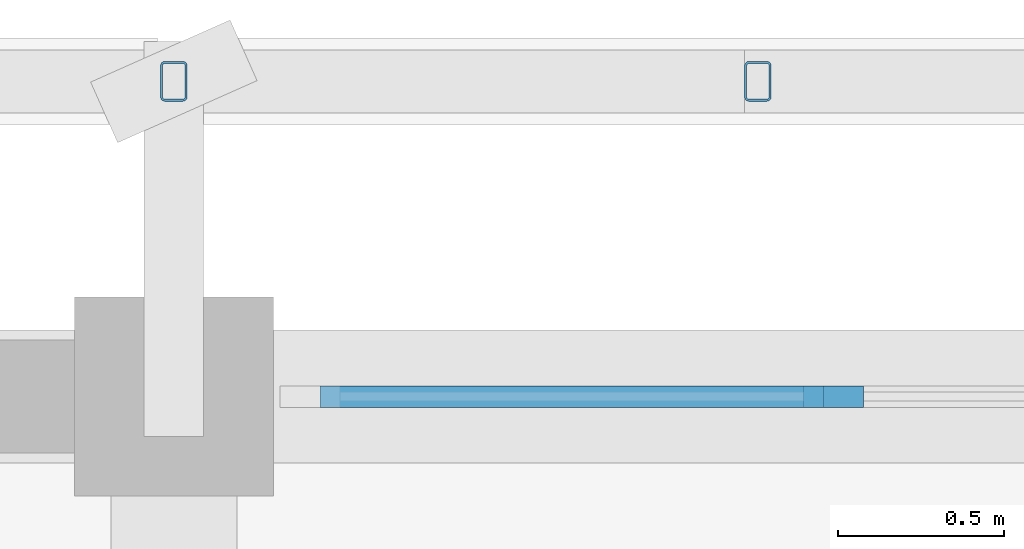
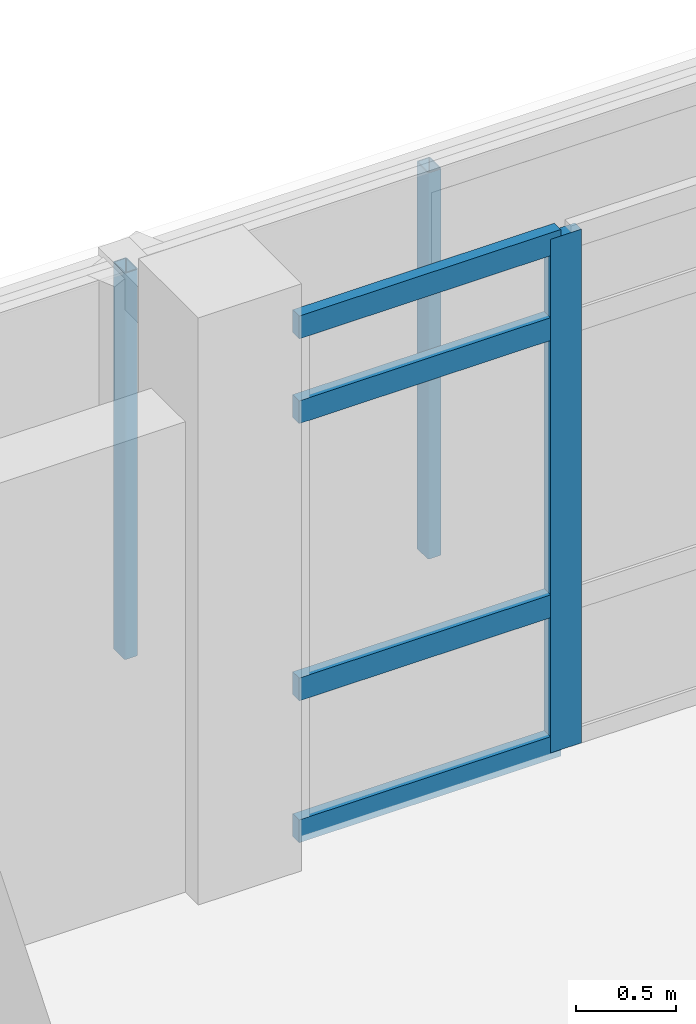
# One storey, part 33 of 50: 7 members, 1 element without a shape of its own.
"""IFC4 building model written with IfcOpenShell, lengths in metres."""

from ifc_helpers import new_model, si_unit, direction, frame, origin, origin_2d, place, context, subcontext, project, spatial, rectangle, hollow_rectangle, extrude, material, material_profile, profile_set, type_object, element, aggregate, save


model = new_model("IFC4")

# Units and contexts
model_context = context("Model", 3, precision=1e-05, world=origin(), true_north=direction((0.0, 1.0)))
body_context = subcontext(model_context, "Body", "Model", "MODEL_VIEW")
ifc_project = project(units=[si_unit("LENGTHUNIT", "METRE"), si_unit("AREAUNIT", "SQUARE_METRE"), si_unit("VOLUMEUNIT", "CUBIC_METRE"), si_unit("PLANEANGLEUNIT", "RADIAN"), si_unit("MASSUNIT", "GRAM", prefix="KILO")], contexts=[model_context])

# Site, building, storey
site_placement = place(None, origin())
site = spatial("IfcSite", under=ifc_project, at=site_placement, CompositionType="ELEMENT")
building_placement = place(site_placement, origin())
building = spatial("IfcBuilding", under=site, at=building_placement, Name="Cinderway Yard Community Centre", CompositionType="ELEMENT")
storey_placement = place(building_placement, frame((0.0, 0.0, 12.89990234375)))
storey = spatial("IfcBuildingStorey", under=building, at=storey_placement, Name="L03", CompositionType="ELEMENT", Elevation=12.89990234375)

# Curtain wall, members
ifc_material_1 = material(Name="Aluminium 6063-T6", Category="aluminium")
curtain_wall_type = type_object("IfcCurtainWallType", Name="ENV-CW-TYPE-33", PredefinedType="USERDEFINED", material=ifc_material_1)
curtain_wall_placement = place(storey_placement, origin())
curtain_wall = element("IfcCurtainWall", 1, at=curtain_wall_placement, inside=storey, type_object=curtain_wall_type, Name="V4 Street Curtain Wall ENV-CW-L03-HS-0171", ObjectType="GLAZED CURTAIN WALL", PredefinedType="USERDEFINED")
ifc_material_profile_1 = material_profile(ifc_material_1, rectangle(XDim=0.06494140625, YDim=0.179931640625, at=origin_2d()), Name="Aluminium 6063-T6")
ifc_profile_set_1 = profile_set([ifc_material_profile_1], Name="Aluminium 6063-T6")
member_type_1 = type_object("IfcMemberType", Name="ENV-CW-MULL-180", PredefinedType="MULLION", material=ifc_profile_set_1)
member_1_placement = place(storey_placement, frame((121.18798828125, 115.199951171875, 0.0), z_axis=(0.0, 0.0, 1.0), x_axis=(0.0, 1.0, 0.0)))
member_1 = element("IfcMember", 2, at=member_1_placement, type_object=member_type_1, Name="CW-33 mullion 2", PredefinedType="MULLION", context=body_context, shape_type="SweptSolid", body=[
    extrude(rectangle(XDim=0.06494140625, YDim=0.179931640625, at=origin_2d()), origin(), (0.0, 0.0, 1.0), 3.150146484375),
])
ifc_material_profile_2 = material_profile(ifc_material_1, rectangle(XDim=0.06494140625, YDim=0.139892578125, at=origin_2d()), Name="Aluminium 6063-T6")
ifc_profile_set_2 = profile_set([ifc_material_profile_2], Name="Aluminium 6063-T6")
member_type_2 = type_object("IfcMemberType", Name="ENV-CW-TRAN-140", PredefinedType="USERDEFINED", material=ifc_profile_set_2)
member_2_placement = place(storey_placement, frame((119.639892578125, 115.199951171875, 0.030029296875), z_axis=(1.0, 0.0, 0.0), x_axis=(0.0, 1.0, 0.0)))
member_2 = element("IfcMember", 3, at=member_2_placement, type_object=member_type_2, Name="CW-33 transom 1.1", ObjectType="TRANSOM", PredefinedType="USERDEFINED", context=body_context, shape_type="SweptSolid", body=[
    extrude(rectangle(XDim=0.06494140625, YDim=0.139892578125, at=origin_2d()), origin(), (0.0, 0.0, 1.0), 1.51806640625),
])
member_3_placement = place(storey_placement, frame((119.639892578125, 115.199951171875, 0.900146484375), z_axis=(1.0, 0.0, 0.0), x_axis=(0.0, 1.0, 0.0)))
member_3 = element("IfcMember", 4, at=member_3_placement, type_object=member_type_2, Name="CW-33 transom 1.2", ObjectType="TRANSOM", PredefinedType="USERDEFINED", context=body_context, shape_type="SweptSolid", body=[
    extrude(rectangle(XDim=0.06494140625, YDim=0.139892578125, at=origin_2d()), origin(), (0.0, 0.0, 1.0), 1.51806640625),
])
member_4_placement = place(storey_placement, frame((119.639892578125, 115.199951171875, 2.60009765625), z_axis=(1.0, 0.0, 0.0), x_axis=(0.0, 1.0, 0.0)))
member_4 = element("IfcMember", 5, at=member_4_placement, type_object=member_type_2, Name="CW-33 transom 1.3", ObjectType="TRANSOM", PredefinedType="USERDEFINED", context=body_context, shape_type="SweptSolid", body=[
    extrude(rectangle(XDim=0.06494140625, YDim=0.139892578125, at=origin_2d()), origin(), (0.0, 0.0, 1.0), 1.51806640625),
])
member_5_placement = place(storey_placement, frame((119.639892578125, 115.199951171875, 3.1201171875), z_axis=(1.0, 0.0, 0.0), x_axis=(0.0, 1.0, 0.0)))
member_5 = element("IfcMember", 6, at=member_5_placement, type_object=member_type_2, Name="CW-33 transom 1.4", ObjectType="TRANSOM", PredefinedType="USERDEFINED", context=body_context, shape_type="SweptSolid", body=[
    extrude(rectangle(XDim=0.06494140625, YDim=0.139892578125, at=origin_2d()), origin(), (0.0, 0.0, 1.0), 1.51806640625),
])
aggregate(curtain_wall, [member_1, member_2, member_3, member_4, member_5])

# Members
ifc_material_2 = material(Name="Steel S355", Category="steel")
ifc_material_profile_3 = material_profile(ifc_material_2, hollow_rectangle(XDim=0.080078125, YDim=0.1201171875, WallThickness=0.00634765625, InnerFilletRadius=0.00634765625, OuterFilletRadius=0.0126953125, at=origin_2d()), Name="Steel S355")
ifc_profile_set_3 = profile_set([ifc_material_profile_3], Name="Steel S355")
member_type_3 = type_object("IfcMemberType", Name="ENV-MEM-SCREEN-RAIL-120", PredefinedType="STRINGER", material=ifc_profile_set_3)
for number, where, z_axis, x_axis, name in (
    (7, (119.199951171875, 116.14990234375, 0.690185546875), (0.0, 0.0, 1.0), (1.0, 0.0, 0.0), "Screen vertical mullion 0250"),
    (8, (120.9599609375, 116.14990234375, 0.690185546875), (0.0, 0.0, 1.0), (1.0, 0.0, 0.0), "Screen vertical mullion 0254"),
):
    element("IfcMember", number, at=place(storey_placement, frame(where, z_axis=z_axis, x_axis=x_axis)), inside=storey, type_object=member_type_3, Name=name, PredefinedType="STRINGER", context=body_context, shape_type="SweptSolid", body=[
        extrude(hollow_rectangle(XDim=0.080078125, YDim=0.1201171875, WallThickness=0.00634765625, InnerFilletRadius=0.00634765625, OuterFilletRadius=0.0126953125, at=origin_2d()), origin(), (0.0, 0.0, 1.0), 2.369873046875),
    ])

save(model, "model.ifc")
